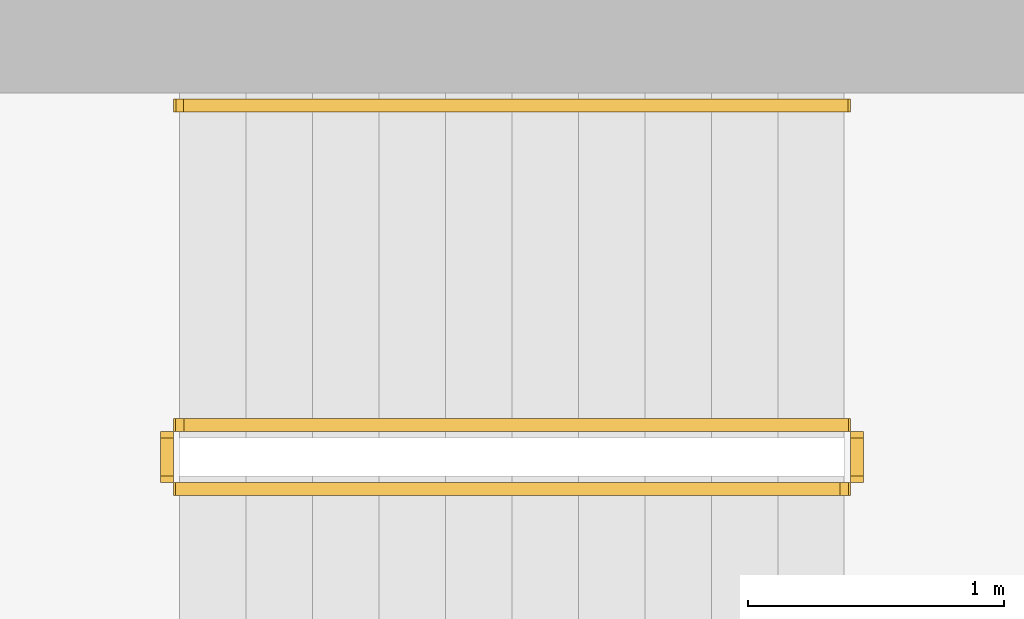
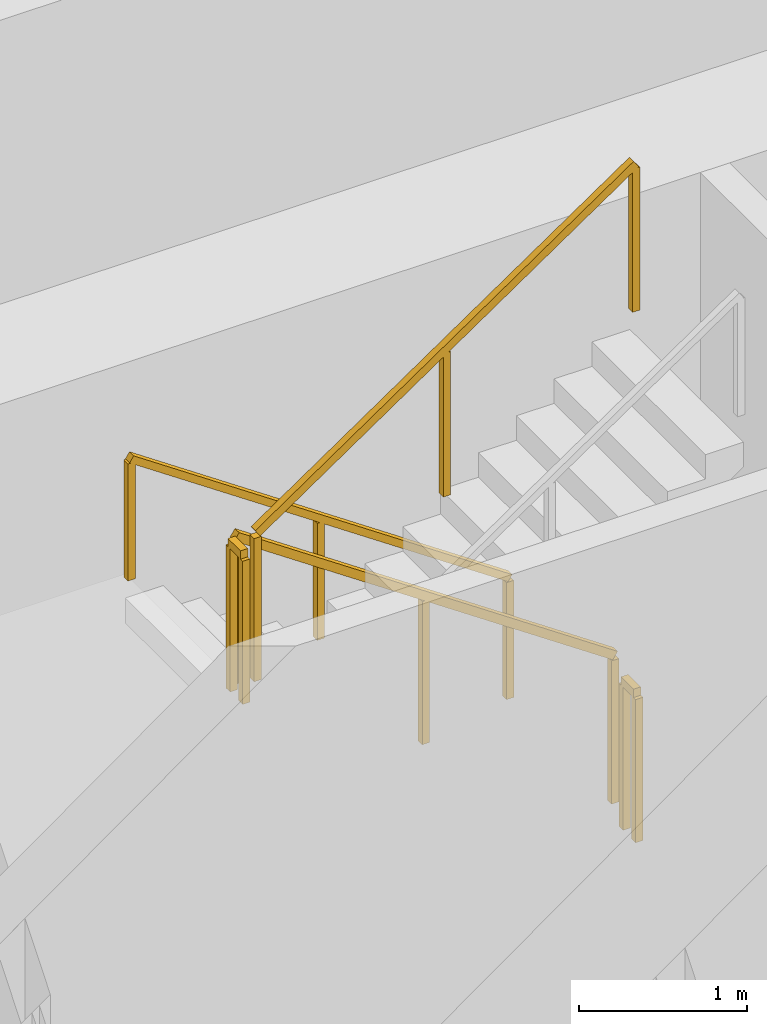
# One storey, part 13 of 14: 5 railings.
"""IFC4 building model written with IfcOpenShell, lengths in metres."""

import ifcopenshell
import ifcopenshell.guid

model = None  # the IFC model being written
_history = None  # IfcOwnerHistory: only IFC2X3 demands one
_inside = {}  # id of a spatial element -> (the spatial element, [elements in it])
_under = {}  # id of a project, library or spatial element -> (it, [spatial elements below it])
_declared = {}  # id of a project -> (the project, [libraries it declares])
_typed = {}  # id of a type object -> (the type object, [elements of that type])
_made_of = {}  # id of a material, layer set ... -> (it, [elements and type objects made of it])


def new_model(schema):
    """Start an empty IFC model of exactly this schema.

    Asked for "IFC4X3", IfcOpenShell would pick the latest addendum, in which some entities
    have other attributes; the version numbers below select the first issue.
    IFC2X3 requires an IfcOwnerHistory on every rooted entity: one is made here for all.
    """
    global model, _history
    if schema == "IFC4X3":
        model = ifcopenshell.file(schema_version=(4, 3, 0, 0))
    else:
        model = ifcopenshell.file(schema=schema)
    _inside.clear()
    _under.clear()
    _declared.clear()
    _typed.clear()
    _made_of.clear()
    _history = None
    if model.schema == "IFC2X3":
        org = make("IfcOrganization", Name="unknown")
        user = make(
            "IfcPersonAndOrganization",
            ThePerson=make("IfcPerson", FamilyName="unknown"),
            TheOrganization=org,
        )
        app = make(
            "IfcApplication",
            ApplicationDeveloper=org,
            Version="unknown",
            ApplicationFullName="unknown",
            ApplicationIdentifier="unknown",
        )
        _history = make(
            "IfcOwnerHistory",
            OwningUser=user,
            OwningApplication=app,
            ChangeAction="ADDED",
            CreationDate=0,
        )
    return model


def make(cls, **values):
    """One entity of the class cls with the attributes given. An attribute that is None is left unset."""
    return model.create_entity(
        cls, **{name: value for name, value in values.items() if value is not None}
    )


def rooted(cls, **values):
    """An entity with a GlobalId (a new one), such as an element, a storey or a relation."""
    return make(cls, GlobalId=ifcopenshell.guid.new(), OwnerHistory=_history, **values)


def si_unit(unit_type, name, prefix=None):
    """IfcSIUnit, for example si_unit("LENGTHUNIT", "METRE", prefix="MILLI")."""
    return make("IfcSIUnit", UnitType=unit_type, Prefix=prefix, Name=name)


def assignment(units):
    """IfcUnitAssignment: the units of a project."""
    return None if units is None else make("IfcUnitAssignment", Units=units)


def point(xyz):
    """IfcCartesianPoint."""
    return None if xyz is None else make("IfcCartesianPoint", Coordinates=xyz)


def direction(xyz):
    """IfcDirection."""
    return None if xyz is None else make("IfcDirection", DirectionRatios=xyz)


def frame(location, z_axis=None, x_axis=None):
    """IfcAxis2Placement3D, a coordinate frame: its origin and axes. An axis left out is left unset."""
    return make(
        "IfcAxis2Placement3D",
        Location=point(location),
        Axis=direction(z_axis),
        RefDirection=direction(x_axis),
    )


def frame_2d(location, x_axis=None):
    """IfcAxis2Placement2D, a coordinate frame in the plane: its origin and x axis."""
    return make(
        "IfcAxis2Placement2D", Location=point(location), RefDirection=direction(x_axis)
    )


def origin():
    """The frame at (0, 0, 0) with its axes left unset."""
    return frame((0.0, 0.0, 0.0))


def origin_2d():
    """The frame at (0, 0) in the plane with its x axis left unset."""
    return frame_2d((0.0, 0.0))


def place(relative_to, where):
    """IfcLocalPlacement: puts the frame where relative to a parent placement (None: the world)."""
    return make(
        "IfcLocalPlacement", PlacementRelTo=relative_to, RelativePlacement=where
    )


def context(
    kind, dimensions, precision=None, world=None, true_north=None, identifier=None
):
    """IfcGeometricRepresentationContext, for example the 3D "Model" context."""
    return make(
        "IfcGeometricRepresentationContext",
        ContextIdentifier=identifier,
        ContextType=kind,
        CoordinateSpaceDimension=dimensions,
        Precision=precision,
        WorldCoordinateSystem=world,
        TrueNorth=true_north,
    )


def subcontext(parent, identifier, kind, view, scale=None):
    """IfcGeometricRepresentationSubContext, for example "Body" below "Model"."""
    return make(
        "IfcGeometricRepresentationSubContext",
        ContextIdentifier=identifier,
        ContextType=kind,
        ParentContext=parent,
        TargetScale=scale,
        TargetView=view,
    )


def project(units=None, contexts=None):
    """IfcProject with its units and contexts."""
    return rooted(
        "IfcProject",
        Name="project",
        RepresentationContexts=contexts,
        UnitsInContext=assignment(units),
    )


def spatial(cls, under=None, at=None, **own):
    """A site, building, storey or space (cls), placed at a placement, below another one or the project."""
    s = rooted(cls, ObjectPlacement=at, **own)
    if under is not None:
        _under.setdefault(under.id(), (under, []))[1].append(s)
    return s


def profile(cls, at=None, kind="AREA", **sizes):
    """A parametric profile (cls). Its sizes go by their IFC names, for example OverallWidth=200.0."""
    return make(cls, ProfileType=kind, Position=at, **sizes)


def rectangle(**sizes):
    """IfcRectangleProfileDef."""
    return profile("IfcRectangleProfileDef", **sizes)


def extrude(swept, where, along, depth):
    """IfcExtrudedAreaSolid: the profile swept, set in the frame where, extruded along a direction by depth."""
    return make(
        "IfcExtrudedAreaSolid",
        SweptArea=swept,
        Position=where,
        ExtrudedDirection=direction(along),
        Depth=depth,
    )


def shape(context_of_items, identifier, shape_type, items):
    """IfcShapeRepresentation: the items that make up one representation, for example the "Body"."""
    return make(
        "IfcShapeRepresentation",
        ContextOfItems=context_of_items,
        RepresentationIdentifier=identifier,
        RepresentationType=shape_type,
        Items=items,
    )


def material(Name=None, Category=None):
    """IfcMaterial."""
    return make("IfcMaterial", Name=Name, Category=Category)


def made_of(thing, what):
    """Note that an element or type object is made of a material, layer set ...; save() writes the relation."""
    if what is not None:
        _made_of.setdefault(what.id(), (what, []))[1].append(thing)
    return thing


def type_object(cls, material=None, **own):
    """A type object (cls), such as IfcWallType, which elements share."""
    return made_of(rooted(cls, **own), material)


def element(
    cls,
    number,
    at=None,
    inside=None,
    cuts=None,
    type_object=None,
    material=None,
    context=None,
    identifier="Body",
    shape_type=None,
    held_by="IfcProductDefinitionShape",
    body=None,
    shapes=None,
    **own,
):
    """One element of the class cls, such as IfcWall. Its Tag is "e" and its number.

    at: its placement. inside: the storey or other place that contains it. cuts: it is an
    opening in that element (IfcRelVoidsElement). A single representation is given by context,
    identifier, shape_type and body (its items); several are given by shapes. held_by: the class
    of the entity that holds the representations. save() writes the other relations.
    """
    e = rooted(cls, Tag="e%d" % number, ObjectPlacement=at, **own)
    if body is not None:
        shapes = [shape(context, identifier, shape_type, body)]
    if shapes is not None:
        e.Representation = make(held_by, Representations=shapes)
    if inside is not None:
        _inside.setdefault(inside.id(), (inside, []))[1].append(e)
    if cuts is not None:
        rooted(
            "IfcRelVoidsElement", RelatingBuildingElement=cuts, RelatedOpeningElement=e
        )
    if type_object is not None:
        _typed.setdefault(type_object.id(), (type_object, []))[1].append(e)
    return made_of(e, material)


def aggregate(whole, parts):
    """IfcRelAggregates: a whole, such as a stair, and the parts it consists of."""
    return rooted("IfcRelAggregates", RelatingObject=whole, RelatedObjects=parts)


def save(model, path):
    """Write the relations noted so far, then the file.

    IfcRelAggregates (storeys below a building ...), IfcRelContainedInSpatialStructure (elements
    in a storey), IfcRelDefinesByType, IfcRelAssociatesMaterial and IfcRelDeclares: one each for
    every whole, place, type object, material and project.
    """
    for whole, parts in _under.values():
        aggregate(whole, parts)
    for where, things in _inside.values():
        rooted(
            "IfcRelContainedInSpatialStructure",
            RelatedElements=things,
            RelatingStructure=where,
        )
    for kind, things in _typed.values():
        rooted("IfcRelDefinesByType", RelatedObjects=things, RelatingType=kind)
    for what, things in _made_of.values():
        rooted("IfcRelAssociatesMaterial", RelatedObjects=things, RelatingMaterial=what)
    for by, libraries in _declared.values():
        rooted("IfcRelDeclares", RelatingContext=by, RelatedDefinitions=libraries)
    model.write(path)


model = new_model("IFC4")

# Units and contexts
model_context = context("Model", 3, precision=1e-05, world=origin(), true_north=direction((0.0, 1.0)))
body_context = subcontext(model_context, "Body", "Model", "MODEL_VIEW")
ifc_project = project(units=[si_unit("LENGTHUNIT", "METRE"), si_unit("AREAUNIT", "SQUARE_METRE"), si_unit("VOLUMEUNIT", "CUBIC_METRE"), si_unit("PLANEANGLEUNIT", "RADIAN"), si_unit("MASSUNIT", "GRAM", prefix="KILO")], contexts=[model_context])

# Site, building, storey
site_placement = place(None, origin())
site = spatial("IfcSite", under=ifc_project, at=site_placement, CompositionType="ELEMENT")
building_placement = place(site_placement, origin())
building = spatial("IfcBuilding", under=site, at=building_placement, Name="Khepri Terraces", CompositionType="ELEMENT")
storey_placement = place(building_placement, frame((0.0, 0.0, 275.699951171875)))
storey = spatial("IfcBuildingStorey", under=building, at=storey_placement, Name="L66", CompositionType="ELEMENT", Elevation=275.699951171875)

# Railings
ifc_material = material(Name="Stainless steel 316", Category="steel")
railing_type_1 = type_object("IfcRailingType", Name="RL-CORE-GUARD", PredefinedType="GUARDRAIL", material=ifc_material)
railing_1_placement = place(storey_placement, frame((-0.25, 8.800048828125, 0.17724609375)))
element("IfcRailing", 1, at=railing_1_placement, inside=storey, type_object=railing_type_1, Name="L66 ST-3 stair guard 1", PredefinedType="GUARDRAIL", context=body_context, shape_type="SweptSolid", body=[
    extrude(rectangle(XDim=0.050048828125, YDim=0.06005859375, at=origin_2d()), frame((0.0, 0.0, 1.070068359375), z_axis=(-0.826240473404, 0.0, 0.563317565952), x_axis=(0.0, -1.0, 0.0)), (0.0, 0.0, 1.0), 3.14697265625),
    extrude(rectangle(XDim=0.050048828125, YDim=0.050048828125, at=origin_2d()), origin(), (0.0, 0.0, 1.0), 1.0400390625),
    extrude(rectangle(XDim=0.050048828125, YDim=0.050048828125, at=origin_2d()), frame((-1.300048828125, 0.0, 0.88623046875)), (0.0, 0.0, 1.0), 1.0400390625),
    extrude(rectangle(XDim=0.050048828125, YDim=0.050048828125, at=origin_2d()), frame((-2.60009765625, 0.0, 1.772705078125)), (0.0, 0.0, 1.0), 1.0400390625),
])
railing_2_placement = place(storey_placement, frame((-2.89990234375, 8.75, 1.949951171875)))
element("IfcRailing", 2, at=railing_2_placement, inside=storey, type_object=railing_type_1, Name="L66 ST-3 stair guard 2", PredefinedType="GUARDRAIL", context=body_context, shape_type="SweptSolid", body=[
    extrude(rectangle(XDim=0.050048828125, YDim=0.06005859375, at=origin_2d()), frame((0.0, 0.0, 1.070068359375), z_axis=(0.0, -1.0, 0.0), x_axis=(1.0, 0.0, 0.0)), (0.0, 0.0, 1.0), 0.14990234375),
    extrude(rectangle(XDim=0.050048828125, YDim=0.050048828125, at=origin_2d()), origin(), (0.0, 0.0, 1.0), 1.0400390625),
    extrude(rectangle(XDim=0.050048828125, YDim=0.050048828125, at=origin_2d()), frame((0.0, -0.14990234375, 0.0)), (0.0, 0.0, 1.0), 1.0400390625),
])
railing_3_placement = place(storey_placement, frame((-2.85009765625, 8.550048828125, 2.12744140625)))
element("IfcRailing", 3, at=railing_3_placement, inside=storey, type_object=railing_type_1, Name="L66 ST-3 stair guard 3", PredefinedType="GUARDRAIL", context=body_context, shape_type="SweptSolid", body=[
    extrude(rectangle(XDim=0.050048828125, YDim=0.06005859375, at=origin_2d()), frame((0.0, 0.0, 1.070068359375), z_axis=(0.826240473404, 0.0, 0.563317565952), x_axis=(0.0, 1.0, 0.0)), (0.0, 0.0, 1.0), 3.14697265625),
    extrude(rectangle(XDim=0.050048828125, YDim=0.050048828125, at=origin_2d()), origin(), (0.0, 0.0, 1.0), 1.0400390625),
    extrude(rectangle(XDim=0.050048828125, YDim=0.050048828125, at=origin_2d()), frame((1.300048828125, 0.0, 0.88623046875)), (0.0, 0.0, 1.0), 1.0400390625),
    extrude(rectangle(XDim=0.050048828125, YDim=0.050048828125, at=origin_2d()), frame((2.60009765625, 0.0, 1.772705078125)), (0.0, 0.0, 1.0), 1.0400390625),
])
railing_4_placement = place(storey_placement, frame((-0.199951171875, 8.75, 0.0)))
element("IfcRailing", 4, at=railing_4_placement, inside=storey, type_object=railing_type_1, Name="L66 ST-3 stair guard 4", PredefinedType="GUARDRAIL", context=body_context, shape_type="SweptSolid", body=[
    extrude(rectangle(XDim=0.050048828125, YDim=0.06005859375, at=origin_2d()), frame((0.0, 0.0, 1.070068359375), z_axis=(0.0, -1.0, 0.0), x_axis=(1.0, 0.0, 0.0)), (0.0, 0.0, 1.0), 0.14990234375),
    extrude(rectangle(XDim=0.050048828125, YDim=0.050048828125, at=origin_2d()), origin(), (0.0, 0.0, 1.0), 1.0400390625),
    extrude(rectangle(XDim=0.050048828125, YDim=0.050048828125, at=origin_2d()), frame((0.0, -0.14990234375, 0.0)), (0.0, 0.0, 1.0), 1.0400390625),
])
railing_type_2 = type_object("IfcRailingType", Name="RL-CORE-HANDRAIL", PredefinedType="HANDRAIL", material=ifc_material)
railing_5_placement = place(storey_placement, frame((-0.25, 10.050048828125, 0.17724609375)))
element("IfcRailing", 5, at=railing_5_placement, inside=storey, type_object=railing_type_2, Name="L66 ST-3 stair handrail 1", PredefinedType="HANDRAIL", context=body_context, shape_type="SweptSolid", body=[
    extrude(rectangle(XDim=0.050048828125, YDim=0.050048828125, at=origin_2d()), frame((0.0, 0.0, 0.875), z_axis=(-0.826240473404, 0.0, 0.563317565952), x_axis=(0.0, -1.0, 0.0)), (0.0, 0.0, 1.0), 3.14697265625),
    extrude(rectangle(XDim=0.050048828125, YDim=0.050048828125, at=origin_2d()), origin(), (0.0, 0.0, 1.0), 0.849853515625),
    extrude(rectangle(XDim=0.050048828125, YDim=0.050048828125, at=origin_2d()), frame((-1.300048828125, 0.0, 0.88623046875)), (0.0, 0.0, 1.0), 0.849853515625),
    extrude(rectangle(XDim=0.050048828125, YDim=0.050048828125, at=origin_2d()), frame((-2.60009765625, 0.0, 1.772705078125)), (0.0, 0.0, 1.0), 0.849853515625),
])

save(model, "model.ifc")
